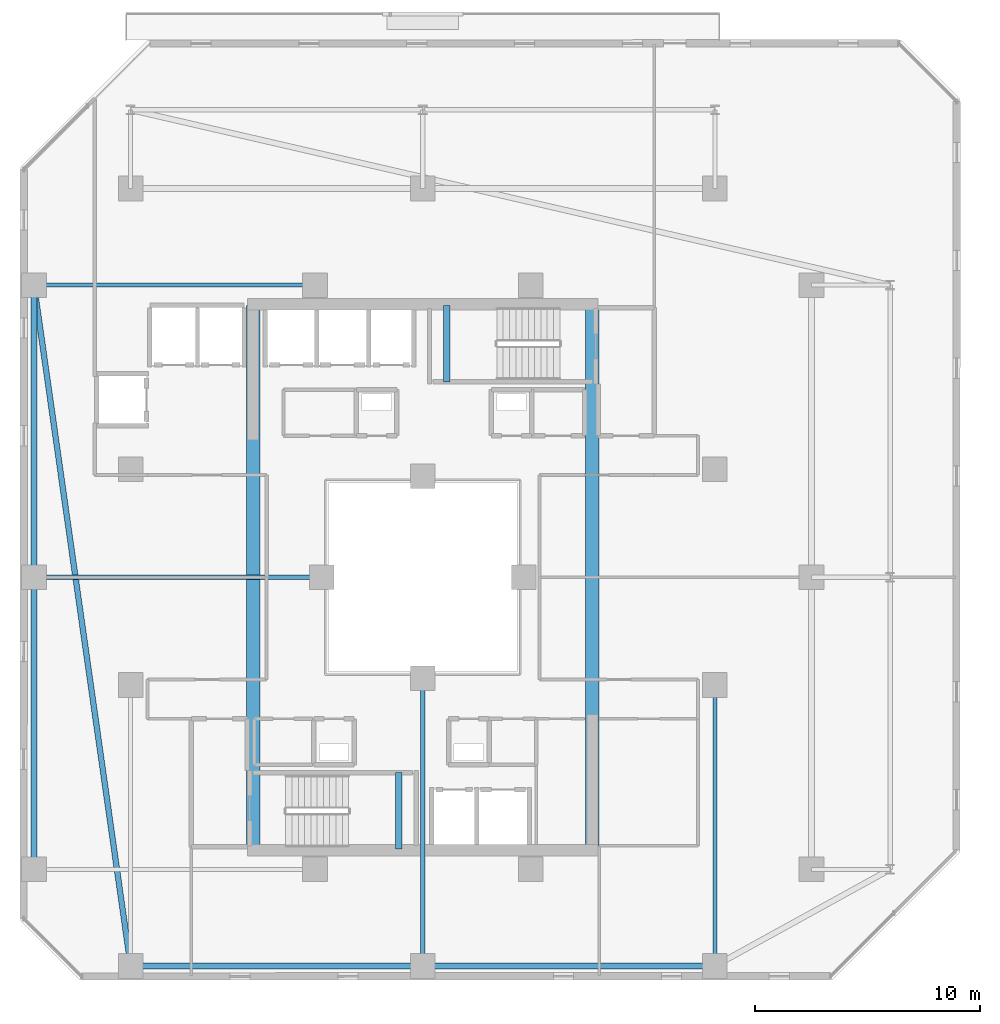
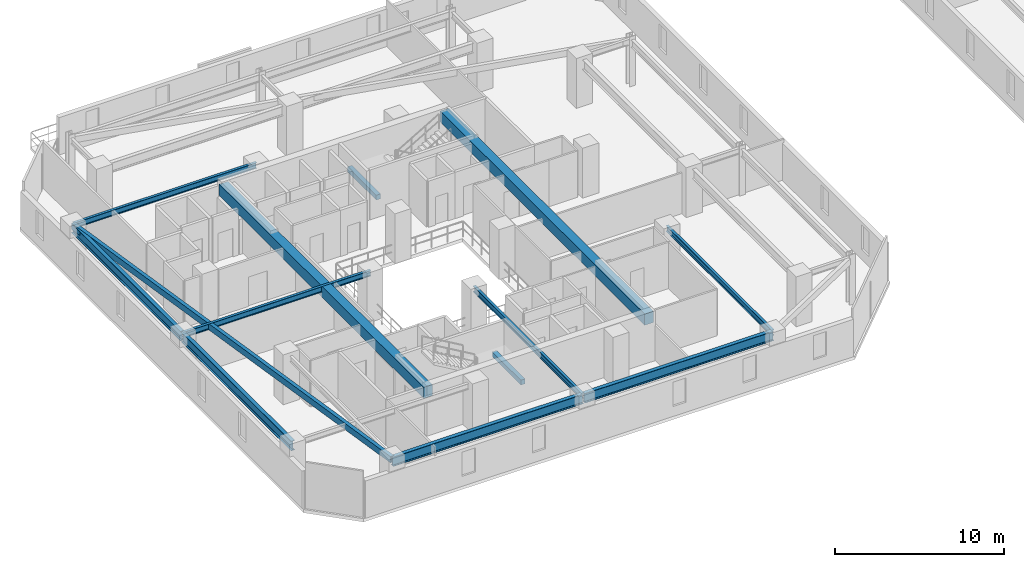
# One storey, part 4 of 32: 13 beams.
"""IFC4 building model written with IfcOpenShell, lengths in metres."""

from ifc_helpers import new_model, si_unit, direction, frame, origin, origin_2d, place, context, subcontext, project, spatial, rectangle, hollow_rectangle, i_section, extrude, material, material_profile, profile_set, type_object, element, save


model = new_model("IFC4")

# Units and contexts
model_context = context("Model", 3, precision=1e-05, world=origin(), true_north=direction((0.0, 1.0)))
body_context = subcontext(model_context, "Body", "Model", "MODEL_VIEW")
ifc_project = project(units=[si_unit("LENGTHUNIT", "METRE"), si_unit("AREAUNIT", "SQUARE_METRE"), si_unit("VOLUMEUNIT", "CUBIC_METRE"), si_unit("PLANEANGLEUNIT", "RADIAN"), si_unit("MASSUNIT", "GRAM", prefix="KILO")], contexts=[model_context])

# Site, building, storey
site_placement = place(None, origin())
site = spatial("IfcSite", under=ifc_project, at=site_placement, CompositionType="ELEMENT")
building_placement = place(site_placement, origin())
building = spatial("IfcBuilding", under=site, at=building_placement, Name="Thornwick Lancets Civic Towers", CompositionType="ELEMENT")
storey_placement = place(building_placement, frame((0.0, 0.0, 182.10009765625)))
storey = spatial("IfcBuildingStorey", under=building, at=storey_placement, Name="L48", CompositionType="ELEMENT", Elevation=182.10009765625)

# Beams
ifc_material_1 = material(Name="Concrete C60/75", Category="concrete")
ifc_material_profile_1 = material_profile(ifc_material_1, rectangle(XDim=0.60009765625, YDim=0.800048828125, at=origin_2d()), Name="RC 600x800")
ifc_profile_set_1 = profile_set([ifc_material_profile_1], Name="Concrete C60/75")
beam_type_1 = type_object("IfcBeamType", Name="BM_COUP_RC800", PredefinedType="BEAM", material=ifc_profile_set_1)
for number, where, z_axis, x_axis, name in (
    (1, (33.050048828125, 14.89990234375, 2.9599609375), (0.0, 1.0, 0.0), (-1.0, 0.0, 0.0), "CB-L48-A1"),
    (2, (17.949951171875, 14.89990234375, 2.9599609375), (0.0, 1.0, 0.0), (-1.0, 0.0, 0.0), "CB-L48-A2"),
):
    element("IfcBeam", number, at=place(storey_placement, frame(where, z_axis=z_axis, x_axis=x_axis)), inside=storey, type_object=beam_type_1, Name=name, PredefinedType="BEAM", context=body_context, shape_type="SweptSolid", body=[
        extrude(rectangle(XDim=0.60009765625, YDim=0.800048828125, at=origin_2d()), origin(), (0.0, 0.0, 1.0), 24.2001953125),
    ])
ifc_material_2 = material(Name="Steel S355JR", Category="steel")
ifc_material_profile_2 = material_profile(ifc_material_2, i_section(OverallWidth=0.255859375, OverallDepth=0.69287109375, WebThickness=0.014404296875, FlangeThickness=0.023681640625, FilletRadius=0.01513671875, at=origin_2d()), Name="UKB 686x254x170")
ifc_profile_set_2 = profile_set([ifc_material_profile_2], Name="Steel S355JR")
beam_type_2 = type_object("IfcBeamType", Name="BM_GIRD_686_170", PredefinedType="BEAM", material=ifc_profile_set_2)
beam_1_placement = place(storey_placement, frame((12.5, 9.699951171875, 3.013427734375), z_axis=(1.0, 0.0, 0.0), x_axis=(0.0, 1.0, 0.0)))
element("IfcBeam", 3, at=beam_1_placement, inside=storey, type_object=beam_type_2, Name="BM-SPINE-L48-A-0-1", PredefinedType="BEAM", context=body_context, shape_type="SweptSolid", body=[
    extrude(i_section(OverallWidth=0.255859375, OverallDepth=0.69287109375, WebThickness=0.014404296875, FlangeThickness=0.023681640625, FilletRadius=0.01513671875, at=origin_2d()), origin(), (0.0, 0.0, 1.0), 13.0),
])
beam_2_placement = place(storey_placement, frame((25.580078125, 9.699951171875, 3.013427734375), z_axis=(1.0, 0.0, 0.0), x_axis=(0.0, 1.0, 0.0)))
element("IfcBeam", 4, at=beam_2_placement, inside=storey, type_object=beam_type_2, Name="BM-SPINE-L48-A-1-2", PredefinedType="BEAM", context=body_context, shape_type="SweptSolid", body=[
    extrude(i_section(OverallWidth=0.255859375, OverallDepth=0.69287109375, WebThickness=0.014404296875, FlangeThickness=0.023681640625, FilletRadius=0.01513671875, at=origin_2d()), origin(), (0.0, 0.0, 1.0), 12.919921875),
])
beam_3_placement = place(storey_placement, frame((8.199951171875, 14.0, 3.013427734375), z_axis=(0.0, 1.0, 0.0), x_axis=(-1.0, 0.0, 0.0)))
element("IfcBeam", 5, at=beam_3_placement, inside=storey, type_object=beam_type_2, Name="BM-SPINE-L48-A-9-10", PredefinedType="BEAM", context=body_context, shape_type="SweptSolid", body=[
    extrude(i_section(OverallWidth=0.255859375, OverallDepth=0.69287109375, WebThickness=0.014404296875, FlangeThickness=0.023681640625, FilletRadius=0.01513671875, at=origin_2d()), origin(), (0.0, 0.0, 1.0), 13.0),
])
beam_4_placement = place(storey_placement, frame((8.199951171875, 27.080078125, 3.013427734375), z_axis=(0.0, 1.0, 0.0), x_axis=(-1.0, 0.0, 0.0)))
element("IfcBeam", 6, at=beam_4_placement, inside=storey, type_object=beam_type_2, Name="BM-SPINE-L48-A-10-11", PredefinedType="BEAM", context=body_context, shape_type="SweptSolid", body=[
    extrude(i_section(OverallWidth=0.255859375, OverallDepth=0.69287109375, WebThickness=0.014404296875, FlangeThickness=0.023681640625, FilletRadius=0.01513671875, at=origin_2d()), origin(), (0.0, 0.0, 1.0), 12.919921875),
])
ifc_material_profile_3 = material_profile(ifc_material_2, i_section(OverallWidth=0.179443359375, OverallDepth=0.412841796875, WebThickness=0.009521484375, FlangeThickness=0.01611328125, FilletRadius=0.01025390625, at=origin_2d()), Name="UKB 406x178x74")
ifc_profile_set_3 = profile_set([ifc_material_profile_3], Name="Steel S355JR")
beam_type_3 = type_object("IfcBeamType", Name="BM_JOIST_406_74", PredefinedType="JOIST", material=ifc_profile_set_3)
beam_5_placement = place(storey_placement, frame((25.5, 22.5, 3.153564453125), z_axis=(0.0, -1.0, 0.0), x_axis=(1.0, 0.0, 0.0)))
element("IfcBeam", 7, at=beam_5_placement, inside=storey, type_object=beam_type_3, Name="BM-RADIN-L48-A02", PredefinedType="JOIST", context=body_context, shape_type="SweptSolid", body=[
    extrude(i_section(OverallWidth=0.179443359375, OverallDepth=0.412841796875, WebThickness=0.009521484375, FlangeThickness=0.01611328125, FilletRadius=0.01025390625, at=origin_2d()), origin(), (0.0, 0.0, 1.0), 12.800048828125),
])
beam_6_placement = place(storey_placement, frame((38.5, 22.199951171875, 3.153564453125), z_axis=(0.0, -1.0, 0.0), x_axis=(1.0, 0.0, 0.0)))
element("IfcBeam", 8, at=beam_6_placement, inside=storey, type_object=beam_type_3, Name="BM-RADIN-L48-A03", PredefinedType="JOIST", context=body_context, shape_type="SweptSolid", body=[
    extrude(i_section(OverallWidth=0.179443359375, OverallDepth=0.412841796875, WebThickness=0.009521484375, FlangeThickness=0.01611328125, FilletRadius=0.01025390625, at=origin_2d()), origin(), (0.0, 0.0, 1.0), 12.5),
])
beam_7_placement = place(storey_placement, frame((21.0, 27.0, 3.153564453125), z_axis=(-1.0, 0.0, 0.0), x_axis=(0.0, -1.0, 0.0)))
element("IfcBeam", 9, at=beam_7_placement, inside=storey, type_object=beam_type_3, Name="BM-RADIN-L48-A11", PredefinedType="JOIST", context=body_context, shape_type="SweptSolid", body=[
    extrude(i_section(OverallWidth=0.179443359375, OverallDepth=0.412841796875, WebThickness=0.009521484375, FlangeThickness=0.01611328125, FilletRadius=0.01025390625, at=origin_2d()), origin(), (0.0, 0.0, 1.0), 12.800048828125),
])
beam_8_placement = place(storey_placement, frame((20.699951171875, 40.0, 3.153564453125), z_axis=(-1.0, 0.0, 0.0), x_axis=(0.0, -1.0, 0.0)))
element("IfcBeam", 10, at=beam_8_placement, inside=storey, type_object=beam_type_3, Name="BM-RADIN-L48-A12", PredefinedType="JOIST", context=body_context, shape_type="SweptSolid", body=[
    extrude(i_section(OverallWidth=0.179443359375, OverallDepth=0.412841796875, WebThickness=0.009521484375, FlangeThickness=0.01611328125, FilletRadius=0.01025390625, at=origin_2d()), origin(), (0.0, 0.0, 1.0), 12.5),
])
ifc_material_profile_4 = material_profile(ifc_material_2, hollow_rectangle(XDim=0.25, YDim=0.449951171875, WallThickness=0.01611328125, at=origin_2d()), Name="RHS 450x250x16")
ifc_profile_set_4 = profile_set([ifc_material_profile_4], Name="Steel S355JR")
beam_type_4 = type_object("IfcBeamType", Name="BM_RING_RHS450", PredefinedType="BEAM", material=ifc_profile_set_4)
beam_9_placement = place(storey_placement, frame((8.199951171875, 40.0, 3.135009765625), z_axis=(0.140507712682, -0.990079584012, 0.0), x_axis=(0.990079584012, 0.140507712682, 0.0)))
element("IfcBeam", 11, at=beam_9_placement, inside=storey, type_object=beam_type_4, Name="BM-CHAMF-L48-A-C3", PredefinedType="BEAM", context=body_context, shape_type="SweptSolid", body=[
    extrude(hollow_rectangle(XDim=0.25, YDim=0.449951171875, WallThickness=0.01611328125, at=origin_2d()), origin(), (0.0, 0.0, 1.0), 30.603759765625),
])
ifc_material_3 = material(Name="Concrete C40/50", Category="concrete")
ifc_material_profile_5 = material_profile(ifc_material_3, rectangle(XDim=0.300048828125, YDim=0.35009765625, at=origin_2d()), Name="RC 300x350")
ifc_profile_set_5 = profile_set([ifc_material_profile_5], Name="Concrete C40/50")
beam_type_5 = type_object("IfcBeamType", Name="BM_STAIR_LDG", PredefinedType="BEAM", material=ifc_profile_set_5)
for number, where, z_axis, x_axis, name in (
    (12, (24.43505859375, 14.89990234375, 1.3779296875), (0.0, 1.0, 0.0), (-1.0, 0.0, 0.0), "L48 ST-A1 Landing Support Beam 1"),
    (13, (26.56494140625, 39.10009765625, 1.3779296875), (0.0, -1.0, 0.0), (1.0, 0.0, 0.0), "L48 ST-A2 Landing Support Beam 1"),
):
    element("IfcBeam", number, at=place(storey_placement, frame(where, z_axis=z_axis, x_axis=x_axis)), inside=storey, type_object=beam_type_5, Name=name, PredefinedType="BEAM", context=body_context, shape_type="SweptSolid", body=[
        extrude(rectangle(XDim=0.300048828125, YDim=0.35009765625, at=origin_2d()), origin(), (0.0, 0.0, 1.0), 3.400146484375),
    ])

save(model, "model.ifc")
